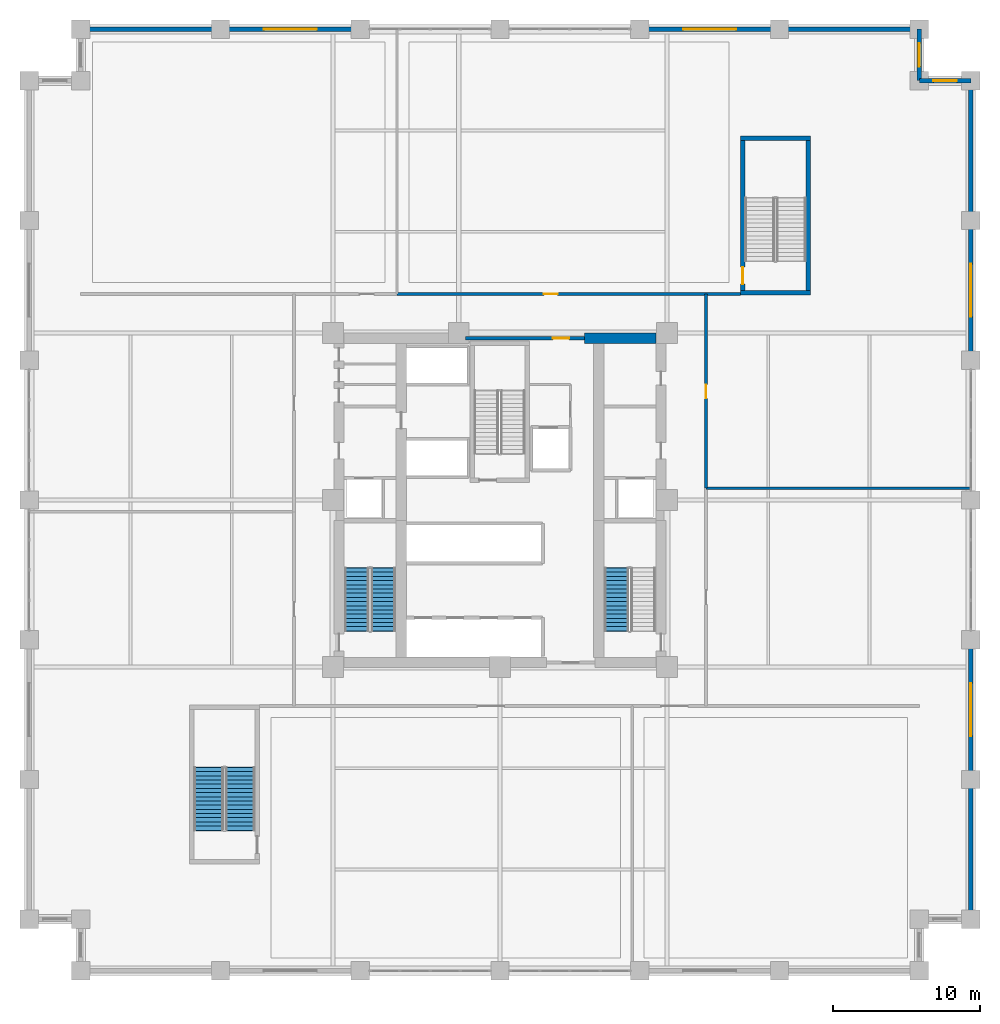
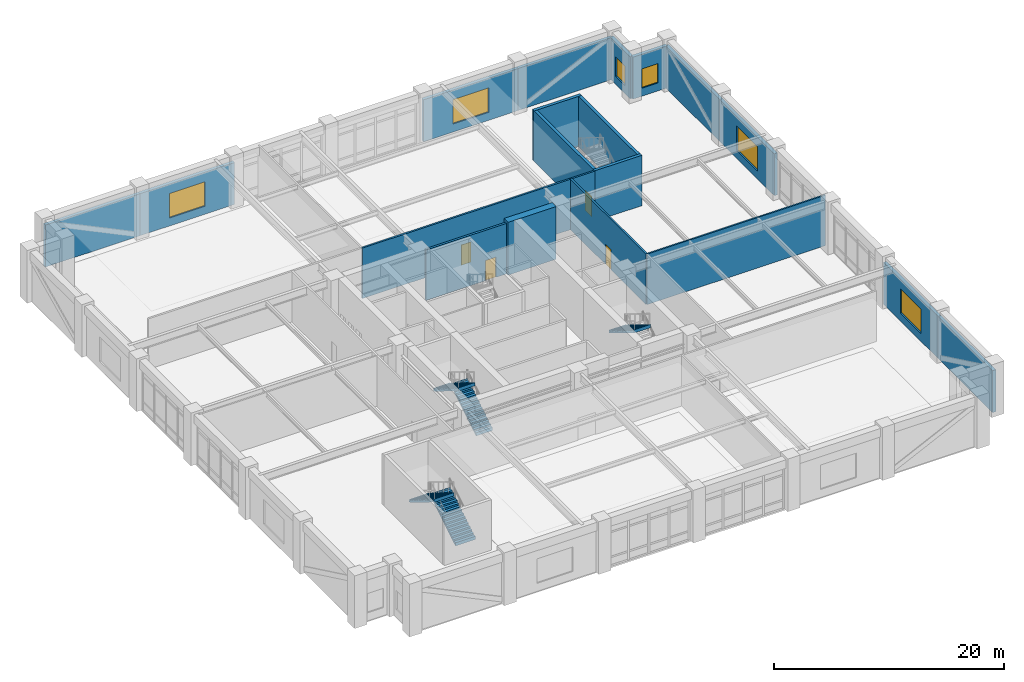
# One storey, part 14 of 21: 19 walls, 6 windows, 5 stair flights, 4 doors, 10 openings, 3 elements without a shape of their own.
"""IFC4 building model written with IfcOpenShell, lengths in metres."""

import ifcopenshell
import ifcopenshell.guid

model = None  # the IFC model being written
_history = None  # IfcOwnerHistory: only IFC2X3 demands one
_inside = {}  # id of a spatial element -> (the spatial element, [elements in it])
_under = {}  # id of a project, library or spatial element -> (it, [spatial elements below it])
_declared = {}  # id of a project -> (the project, [libraries it declares])
_typed = {}  # id of a type object -> (the type object, [elements of that type])
_made_of = {}  # id of a material, layer set ... -> (it, [elements and type objects made of it])


def new_model(schema):
    """Start an empty IFC model of exactly this schema.

    Asked for "IFC4X3", IfcOpenShell would pick the latest addendum, in which some entities
    have other attributes; the version numbers below select the first issue.
    IFC2X3 requires an IfcOwnerHistory on every rooted entity: one is made here for all.
    """
    global model, _history
    if schema == "IFC4X3":
        model = ifcopenshell.file(schema_version=(4, 3, 0, 0))
    else:
        model = ifcopenshell.file(schema=schema)
    _inside.clear()
    _under.clear()
    _declared.clear()
    _typed.clear()
    _made_of.clear()
    _history = None
    if model.schema == "IFC2X3":
        org = make("IfcOrganization", Name="unknown")
        user = make(
            "IfcPersonAndOrganization",
            ThePerson=make("IfcPerson", FamilyName="unknown"),
            TheOrganization=org,
        )
        app = make(
            "IfcApplication",
            ApplicationDeveloper=org,
            Version="unknown",
            ApplicationFullName="unknown",
            ApplicationIdentifier="unknown",
        )
        _history = make(
            "IfcOwnerHistory",
            OwningUser=user,
            OwningApplication=app,
            ChangeAction="ADDED",
            CreationDate=0,
        )
    return model


def make(cls, **values):
    """One entity of the class cls with the attributes given. An attribute that is None is left unset."""
    return model.create_entity(
        cls, **{name: value for name, value in values.items() if value is not None}
    )


def rooted(cls, **values):
    """An entity with a GlobalId (a new one), such as an element, a storey or a relation."""
    return make(cls, GlobalId=ifcopenshell.guid.new(), OwnerHistory=_history, **values)


def si_unit(unit_type, name, prefix=None):
    """IfcSIUnit, for example si_unit("LENGTHUNIT", "METRE", prefix="MILLI")."""
    return make("IfcSIUnit", UnitType=unit_type, Prefix=prefix, Name=name)


def assignment(units):
    """IfcUnitAssignment: the units of a project."""
    return None if units is None else make("IfcUnitAssignment", Units=units)


def point(xyz):
    """IfcCartesianPoint."""
    return None if xyz is None else make("IfcCartesianPoint", Coordinates=xyz)


def direction(xyz):
    """IfcDirection."""
    return None if xyz is None else make("IfcDirection", DirectionRatios=xyz)


def frame(location, z_axis=None, x_axis=None):
    """IfcAxis2Placement3D, a coordinate frame: its origin and axes. An axis left out is left unset."""
    return make(
        "IfcAxis2Placement3D",
        Location=point(location),
        Axis=direction(z_axis),
        RefDirection=direction(x_axis),
    )


def frame_2d(location, x_axis=None):
    """IfcAxis2Placement2D, a coordinate frame in the plane: its origin and x axis."""
    return make(
        "IfcAxis2Placement2D", Location=point(location), RefDirection=direction(x_axis)
    )


def origin():
    """The frame at (0, 0, 0) with its axes left unset."""
    return frame((0.0, 0.0, 0.0))


def place(relative_to, where):
    """IfcLocalPlacement: puts the frame where relative to a parent placement (None: the world)."""
    return make(
        "IfcLocalPlacement", PlacementRelTo=relative_to, RelativePlacement=where
    )


def context(
    kind, dimensions, precision=None, world=None, true_north=None, identifier=None
):
    """IfcGeometricRepresentationContext, for example the 3D "Model" context."""
    return make(
        "IfcGeometricRepresentationContext",
        ContextIdentifier=identifier,
        ContextType=kind,
        CoordinateSpaceDimension=dimensions,
        Precision=precision,
        WorldCoordinateSystem=world,
        TrueNorth=true_north,
    )


def subcontext(parent, identifier, kind, view, scale=None):
    """IfcGeometricRepresentationSubContext, for example "Body" below "Model"."""
    return make(
        "IfcGeometricRepresentationSubContext",
        ContextIdentifier=identifier,
        ContextType=kind,
        ParentContext=parent,
        TargetScale=scale,
        TargetView=view,
    )


def project(units=None, contexts=None):
    """IfcProject with its units and contexts."""
    return rooted(
        "IfcProject",
        Name="project",
        RepresentationContexts=contexts,
        UnitsInContext=assignment(units),
    )


def spatial(cls, under=None, at=None, **own):
    """A site, building, storey or space (cls), placed at a placement, below another one or the project."""
    s = rooted(cls, ObjectPlacement=at, **own)
    if under is not None:
        _under.setdefault(under.id(), (under, []))[1].append(s)
    return s


def polyline(points):
    """IfcPolyline through the points."""
    return make("IfcPolyline", Points=[point(p) for p in points])


def profile(cls, at=None, kind="AREA", **sizes):
    """A parametric profile (cls). Its sizes go by their IFC names, for example OverallWidth=200.0."""
    return make(cls, ProfileType=kind, Position=at, **sizes)


def rectangle(**sizes):
    """IfcRectangleProfileDef."""
    return profile("IfcRectangleProfileDef", **sizes)


def outline(outer, holes=None, kind="AREA"):
    """IfcArbitraryClosedProfileDef: a profile drawn as a closed curve; with holes, ...WithVoids."""
    if holes is None:
        return make("IfcArbitraryClosedProfileDef", ProfileType=kind, OuterCurve=outer)
    return make(
        "IfcArbitraryProfileDefWithVoids",
        ProfileType=kind,
        OuterCurve=outer,
        InnerCurves=holes,
    )


def extrude(swept, where, along, depth):
    """IfcExtrudedAreaSolid: the profile swept, set in the frame where, extruded along a direction by depth."""
    return make(
        "IfcExtrudedAreaSolid",
        SweptArea=swept,
        Position=where,
        ExtrudedDirection=direction(along),
        Depth=depth,
    )


def shape(context_of_items, identifier, shape_type, items):
    """IfcShapeRepresentation: the items that make up one representation, for example the "Body"."""
    return make(
        "IfcShapeRepresentation",
        ContextOfItems=context_of_items,
        RepresentationIdentifier=identifier,
        RepresentationType=shape_type,
        Items=items,
    )


def material(Name=None, Category=None):
    """IfcMaterial."""
    return make("IfcMaterial", Name=Name, Category=Category)


def layer(
    of_material, thickness, ventilated=None, Name=None, Category=None, Priority=None
):
    """IfcMaterialLayer: one layer of a wall or slab, of a material (None: an air gap)."""
    return make(
        "IfcMaterialLayer",
        Material=of_material,
        LayerThickness=thickness,
        IsVentilated=ventilated,
        Name=Name,
        Category=Category,
        Priority=Priority,
    )


def layer_set(layers, Name=None):
    """IfcMaterialLayerSet."""
    return make("IfcMaterialLayerSet", MaterialLayers=layers, LayerSetName=Name)


def made_of(thing, what):
    """Note that an element or type object is made of a material, layer set ...; save() writes the relation."""
    if what is not None:
        _made_of.setdefault(what.id(), (what, []))[1].append(thing)
    return thing


def type_object(cls, material=None, **own):
    """A type object (cls), such as IfcWallType, which elements share."""
    return made_of(rooted(cls, **own), material)


def element(
    cls,
    number,
    at=None,
    inside=None,
    cuts=None,
    type_object=None,
    material=None,
    context=None,
    identifier="Body",
    shape_type=None,
    held_by="IfcProductDefinitionShape",
    body=None,
    shapes=None,
    **own,
):
    """One element of the class cls, such as IfcWall. Its Tag is "e" and its number.

    at: its placement. inside: the storey or other place that contains it. cuts: it is an
    opening in that element (IfcRelVoidsElement). A single representation is given by context,
    identifier, shape_type and body (its items); several are given by shapes. held_by: the class
    of the entity that holds the representations. save() writes the other relations.
    """
    e = rooted(cls, Tag="e%d" % number, ObjectPlacement=at, **own)
    if body is not None:
        shapes = [shape(context, identifier, shape_type, body)]
    if shapes is not None:
        e.Representation = make(held_by, Representations=shapes)
    if inside is not None:
        _inside.setdefault(inside.id(), (inside, []))[1].append(e)
    if cuts is not None:
        rooted(
            "IfcRelVoidsElement", RelatingBuildingElement=cuts, RelatedOpeningElement=e
        )
    if type_object is not None:
        _typed.setdefault(type_object.id(), (type_object, []))[1].append(e)
    return made_of(e, material)


def fill(opening, filler):
    """IfcRelFillsElement: the door or window that sits in an opening."""
    return rooted(
        "IfcRelFillsElement",
        RelatingOpeningElement=opening,
        RelatedBuildingElement=filler,
    )


def aggregate(whole, parts):
    """IfcRelAggregates: a whole, such as a stair, and the parts it consists of."""
    return rooted("IfcRelAggregates", RelatingObject=whole, RelatedObjects=parts)


def save(model, path):
    """Write the relations noted so far, then the file.

    IfcRelAggregates (storeys below a building ...), IfcRelContainedInSpatialStructure (elements
    in a storey), IfcRelDefinesByType, IfcRelAssociatesMaterial and IfcRelDeclares: one each for
    every whole, place, type object, material and project.
    """
    for whole, parts in _under.values():
        aggregate(whole, parts)
    for where, things in _inside.values():
        rooted(
            "IfcRelContainedInSpatialStructure",
            RelatedElements=things,
            RelatingStructure=where,
        )
    for kind, things in _typed.values():
        rooted("IfcRelDefinesByType", RelatedObjects=things, RelatingType=kind)
    for what, things in _made_of.values():
        rooted("IfcRelAssociatesMaterial", RelatedObjects=things, RelatingMaterial=what)
    for by, libraries in _declared.values():
        rooted("IfcRelDeclares", RelatingContext=by, RelatedDefinitions=libraries)
    model.write(path)


model = new_model("IFC4")

# Units and contexts
model_context = context("Model", 3, precision=1e-05, world=origin(), true_north=direction((0.0, 1.0)))
body_context = subcontext(model_context, "Body", "Model", "MODEL_VIEW")
ifc_project = project(units=[si_unit("LENGTHUNIT", "METRE"), si_unit("AREAUNIT", "SQUARE_METRE"), si_unit("VOLUMEUNIT", "CUBIC_METRE"), si_unit("PLANEANGLEUNIT", "RADIAN"), si_unit("MASSUNIT", "GRAM", prefix="KILO")], contexts=[model_context])

# Site, building, storey
site_placement = place(None, origin())
site = spatial("IfcSite", under=ifc_project, at=site_placement, CompositionType="ELEMENT")
building_placement = place(site_placement, origin())
building = spatial("IfcBuilding", under=site, at=building_placement, Name="Nhamokura Convention Tower", CompositionType="ELEMENT")
storey_placement = place(building_placement, frame((0.0, 0.0, 12.25)))
storey = spatial("IfcBuildingStorey", under=building, at=storey_placement, Name="L02", CompositionType="ELEMENT", Elevation=12.25)

# Wall
ifc_material_1 = material(Name="Bronze-pigmented precast concrete C45/55", Category="concrete")
ifc_layer_1 = layer(ifc_material_1, 0.320068359375)
ifc_layer_set_1 = layer_set([ifc_layer_1], Name="BronzePrecastSpandrel_320")
wall_type_1 = type_object("IfcWallType", Name="BronzePrecastSpandrel_320", PredefinedType="USERDEFINED", material=ifc_layer_set_1)
wall_1_placement = place(storey_placement, frame((3.5, 64.0, 0.0), z_axis=(0.0, 0.0, 1.0), x_axis=(1.0, 0.0, 0.0)))
element("IfcWall", 1, at=wall_1_placement, inside=storey, type_object=wall_type_1, Name="L02 Braced-Bay Precast Wall NORTH 0", ObjectType="SPANDREL_WALL", PredefinedType="USERDEFINED", context=body_context, shape_type="SweptSolid", body=[
    extrude(rectangle(XDim=9.5, YDim=0.320068359375, at=frame_2d((4.75, 0.0))), origin(), (0.0, 0.0, 1.0), 4.4599609375),
])

# Wall, opening, window
wall_2_placement = place(storey_placement, frame((13.0, 64.0, 0.0), z_axis=(0.0, 0.0, 1.0), x_axis=(1.0, 0.0, 0.0)))
wall_2 = element("IfcWall", 2, at=wall_2_placement, inside=storey, type_object=wall_type_1, Name="L02 Masonry-Frame Wall NORTH 1", ObjectType="SPANDREL_WALL", PredefinedType="USERDEFINED", context=body_context, shape_type="SweptSolid", body=[
    extrude(rectangle(XDim=9.5, YDim=0.320068359375, at=frame_2d((4.75, 0.0))), origin(), (0.0, 0.0, 1.0), 4.4599609375),
])
opening_1_placement = place(wall_2_placement, frame((2.949951171875, 0.0, 0.85009765625)))
opening_1 = element("IfcOpeningElement", 3, at=opening_1_placement, cuts=wall_2, Name="Opening W-01", PredefinedType="OPENING", context=body_context, shape_type="SweptSolid", body=[
    extrude(rectangle(XDim=3.60009765625, YDim=2.60009765625, at=frame_2d((1.800048828125, 1.300048828125))), frame((0.0, 0.169921875, 0.0), z_axis=(0.0, -1.0, 0.0), x_axis=(1.0, 0.0, 0.0)), (0.0, 0.0, 1.0), 0.340087890625),
])
ifc_material_2 = material(Name="Solar-control bronze low-E double glass", Category="glass")
window_type_1 = type_object("IfcWindowType", Name="PodiumClerestoryWindow_3600", PartitioningType="TRIPLE_PANEL_VERTICAL", PredefinedType="WINDOW", material=ifc_material_2)
window_1_placement = place(opening_1_placement, origin())
window_1 = element("IfcWindow", 4, at=window_1_placement, inside=storey, type_object=window_type_1, Name="L02 Facade Window NORTH 1", OverallHeight=2.60009765625, OverallWidth=3.60009765625, PartitioningType="SINGLE_PANEL", PredefinedType="WINDOW", context=body_context, shape_type="SweptSolid", body=[
    extrude(rectangle(XDim=3.60009765625, YDim=2.60009765625, at=frame_2d((1.800048828125, 1.300048828125))), frame((0.0, 0.030029296875, 0.0), z_axis=(0.0, -1.0, 0.0), x_axis=(1.0, 0.0, 0.0)), (0.0, 0.0, 1.0), 0.06005859375),
])
fill(opening_1, window_1)

wall_3_placement = place(storey_placement, frame((41.5, 64.0, 0.0), z_axis=(0.0, 0.0, 1.0), x_axis=(1.0, 0.0, 0.0)))
wall_3 = element("IfcWall", 5, at=wall_3_placement, inside=storey, type_object=wall_type_1, Name="L02 Masonry-Frame Wall NORTH 4", ObjectType="SPANDREL_WALL", PredefinedType="USERDEFINED", context=body_context, shape_type="SweptSolid", body=[
    extrude(rectangle(XDim=9.5, YDim=0.320068359375, at=frame_2d((4.75, 0.0))), origin(), (0.0, 0.0, 1.0), 4.4599609375),
])
opening_2_placement = place(wall_3_placement, frame((2.949951171875, 0.0, 0.85009765625)))
opening_2 = element("IfcOpeningElement", 6, at=opening_2_placement, cuts=wall_3, Name="Opening W-01", PredefinedType="OPENING", context=body_context, shape_type="SweptSolid", body=[
    extrude(rectangle(XDim=3.60009765625, YDim=2.60009765625, at=frame_2d((1.800048828125, 1.300048828125))), frame((0.0, 0.169921875, 0.0), z_axis=(0.0, -1.0, 0.0), x_axis=(1.0, 0.0, 0.0)), (0.0, 0.0, 1.0), 0.340087890625),
])
window_2_placement = place(opening_2_placement, origin())
window_2 = element("IfcWindow", 7, at=window_2_placement, inside=storey, type_object=window_type_1, Name="L02 Facade Window NORTH 4", OverallHeight=2.60009765625, OverallWidth=3.60009765625, PartitioningType="SINGLE_PANEL", PredefinedType="WINDOW", context=body_context, shape_type="SweptSolid", body=[
    extrude(rectangle(XDim=3.60009765625, YDim=2.60009765625, at=frame_2d((1.800048828125, 1.300048828125))), frame((0.0, 0.030029296875, 0.0), z_axis=(0.0, -1.0, 0.0), x_axis=(1.0, 0.0, 0.0)), (0.0, 0.0, 1.0), 0.06005859375),
])
fill(opening_2, window_2)

# Walls
for number, where, z_axis, x_axis, name in (
    (8, (51.0, 64.0, 0.0), (0.0, 0.0, 1.0), (1.0, 0.0, 0.0), "L02 Braced-Bay Precast Wall NORTH 5"),
    (9, (64.0, 13.0, 0.0), (0.0, 0.0, 1.0), (0.0, -1.0, 0.0), "L02 Braced-Bay Precast Wall EAST 0"),
):
    element("IfcWall", number, at=place(storey_placement, frame(where, z_axis=z_axis, x_axis=x_axis)), inside=storey, type_object=wall_type_1, Name=name, ObjectType="SPANDREL_WALL", PredefinedType="USERDEFINED", context=body_context, shape_type="SweptSolid", body=[
        extrude(rectangle(XDim=9.5, YDim=0.320068359375, at=frame_2d((4.75, 0.0))), origin(), (0.0, 0.0, 1.0), 4.4599609375),
    ])

# Wall, opening, window
wall_4_placement = place(storey_placement, frame((64.0, 22.5, 0.0), z_axis=(0.0, 0.0, 1.0), x_axis=(0.0, -1.0, 0.0)))
wall_4 = element("IfcWall", 10, at=wall_4_placement, inside=storey, type_object=wall_type_1, Name="L02 Masonry-Frame Wall EAST 1", ObjectType="SPANDREL_WALL", PredefinedType="USERDEFINED", context=body_context, shape_type="SweptSolid", body=[
    extrude(rectangle(XDim=9.5, YDim=0.320068359375, at=frame_2d((4.75, 0.0))), origin(), (0.0, 0.0, 1.0), 4.4599609375),
])
opening_3_placement = place(wall_4_placement, frame((2.949951171875, 0.0, 0.85009765625)))
opening_3 = element("IfcOpeningElement", 11, at=opening_3_placement, cuts=wall_4, Name="Opening W-01", PredefinedType="OPENING", context=body_context, shape_type="SweptSolid", body=[
    extrude(rectangle(XDim=3.60009765625, YDim=2.60009765625, at=frame_2d((1.800048828125, 1.300048828125))), frame((0.0, 0.169921875, 0.0), z_axis=(0.0, -1.0, 0.0), x_axis=(1.0, 0.0, 0.0)), (0.0, 0.0, 1.0), 0.340087890625),
])
window_3_placement = place(opening_3_placement, origin())
window_3 = element("IfcWindow", 12, at=window_3_placement, inside=storey, type_object=window_type_1, Name="L02 Facade Window EAST 1", OverallHeight=2.60009765625, OverallWidth=3.60009765625, PartitioningType="SINGLE_PANEL", PredefinedType="WINDOW", context=body_context, shape_type="SweptSolid", body=[
    extrude(rectangle(XDim=3.60009765625, YDim=2.60009765625, at=frame_2d((1.800048828125, 1.300048828125))), frame((0.0, 0.030029296875, 0.0), z_axis=(0.0, -1.0, 0.0), x_axis=(1.0, 0.0, 0.0)), (0.0, 0.0, 1.0), 0.06005859375),
])
fill(opening_3, window_3)

wall_5_placement = place(storey_placement, frame((64.0, 51.0, 0.0), z_axis=(0.0, 0.0, 1.0), x_axis=(0.0, -1.0, 0.0)))
wall_5 = element("IfcWall", 13, at=wall_5_placement, inside=storey, type_object=wall_type_1, Name="L02 Masonry-Frame Wall EAST 4", ObjectType="SPANDREL_WALL", PredefinedType="USERDEFINED", context=body_context, shape_type="SweptSolid", body=[
    extrude(rectangle(XDim=9.5, YDim=0.320068359375, at=frame_2d((4.75, 0.0))), origin(), (0.0, 0.0, 1.0), 4.4599609375),
])
opening_4_placement = place(wall_5_placement, frame((2.949951171875, 0.0, 0.85009765625)))
opening_4 = element("IfcOpeningElement", 14, at=opening_4_placement, cuts=wall_5, Name="Opening W-01", PredefinedType="OPENING", context=body_context, shape_type="SweptSolid", body=[
    extrude(rectangle(XDim=3.60009765625, YDim=2.60009765625, at=frame_2d((1.800048828125, 1.300048828125))), frame((0.0, 0.169921875, 0.0), z_axis=(0.0, -1.0, 0.0), x_axis=(1.0, 0.0, 0.0)), (0.0, 0.0, 1.0), 0.340087890625),
])
window_4_placement = place(opening_4_placement, origin())
window_4 = element("IfcWindow", 15, at=window_4_placement, inside=storey, type_object=window_type_1, Name="L02 Facade Window EAST 4", OverallHeight=2.60009765625, OverallWidth=3.60009765625, PartitioningType="SINGLE_PANEL", PredefinedType="WINDOW", context=body_context, shape_type="SweptSolid", body=[
    extrude(rectangle(XDim=3.60009765625, YDim=2.60009765625, at=frame_2d((1.800048828125, 1.300048828125))), frame((0.0, 0.030029296875, 0.0), z_axis=(0.0, -1.0, 0.0), x_axis=(1.0, 0.0, 0.0)), (0.0, 0.0, 1.0), 0.06005859375),
])
fill(opening_4, window_4)

# Wall
wall_6_placement = place(storey_placement, frame((64.0, 60.5, 0.0), z_axis=(0.0, 0.0, 1.0), x_axis=(0.0, -1.0, 0.0)))
element("IfcWall", 16, at=wall_6_placement, inside=storey, type_object=wall_type_1, Name="L02 Braced-Bay Precast Wall EAST 5", ObjectType="SPANDREL_WALL", PredefinedType="USERDEFINED", context=body_context, shape_type="SweptSolid", body=[
    extrude(rectangle(XDim=9.5, YDim=0.320068359375, at=frame_2d((4.75, 0.0))), origin(), (0.0, 0.0, 1.0), 4.4599609375),
])

# Wall, opening, window
wall_7_placement = place(storey_placement, frame((60.5, 60.5, 0.0), z_axis=(0.0, 0.0, 1.0), x_axis=(1.0, 0.0, 0.0)))
wall_7 = element("IfcWall", 17, at=wall_7_placement, inside=storey, type_object=wall_type_1, Name="L02 Notched Corner Wall NE1", ObjectType="SPANDREL_WALL", PredefinedType="USERDEFINED", context=body_context, shape_type="SweptSolid", body=[
    extrude(rectangle(XDim=3.5, YDim=0.320068359375, at=frame_2d((1.75, 0.0))), origin(), (0.0, 0.0, 1.0), 4.4599609375),
])
opening_5_placement = place(wall_7_placement, frame((0.949951171875, 0.0, 0.85009765625)))
opening_5 = element("IfcOpeningElement", 18, at=opening_5_placement, cuts=wall_7, Name="Opening W-11", PredefinedType="OPENING", context=body_context, shape_type="SweptSolid", body=[
    extrude(rectangle(XDim=1.60009765625, YDim=2.050048828125, at=frame_2d((0.800048828125, 1.02490234375))), frame((0.0, 0.169921875, 0.0), z_axis=(0.0, -1.0, 0.0), x_axis=(1.0, 0.0, 0.0)), (0.0, 0.0, 1.0), 0.340087890625),
])
ifc_material_3 = material(Name="Solar-control bronze low-E double glass", Category="glass")
window_type_2 = type_object("IfcWindowType", Name="NotchCornerWindow_1600", PartitioningType="SINGLE_PANEL", PredefinedType="WINDOW", material=ifc_material_3)
window_5_placement = place(opening_5_placement, origin())
window_5 = element("IfcWindow", 19, at=window_5_placement, inside=storey, type_object=window_type_2, Name="L02 Notched Corner Window NE1", OverallHeight=2.050048828125, OverallWidth=1.60009765625, PartitioningType="SINGLE_PANEL", PredefinedType="WINDOW", context=body_context, shape_type="SweptSolid", body=[
    extrude(rectangle(XDim=1.60009765625, YDim=2.050048828125, at=frame_2d((0.800048828125, 1.02490234375))), frame((0.0, 0.030029296875, 0.0), z_axis=(0.0, -1.0, 0.0), x_axis=(1.0, 0.0, 0.0)), (0.0, 0.0, 1.0), 0.06005859375),
])
fill(opening_5, window_5)

wall_8_placement = place(storey_placement, frame((60.5, 64.0, 0.0), z_axis=(0.0, 0.0, 1.0), x_axis=(0.0, -1.0, 0.0)))
wall_8 = element("IfcWall", 20, at=wall_8_placement, inside=storey, type_object=wall_type_1, Name="L02 Notched Corner Wall NE2", ObjectType="SPANDREL_WALL", PredefinedType="USERDEFINED", context=body_context, shape_type="SweptSolid", body=[
    extrude(rectangle(XDim=3.5, YDim=0.320068359375, at=frame_2d((1.75, 0.0))), origin(), (0.0, 0.0, 1.0), 4.4599609375),
])
opening_6_placement = place(wall_8_placement, frame((0.949951171875, 0.0, 0.85009765625)))
opening_6 = element("IfcOpeningElement", 21, at=opening_6_placement, cuts=wall_8, Name="Opening W-11", PredefinedType="OPENING", context=body_context, shape_type="SweptSolid", body=[
    extrude(rectangle(XDim=1.60009765625, YDim=2.050048828125, at=frame_2d((0.800048828125, 1.02490234375))), frame((0.0, 0.169921875, 0.0), z_axis=(0.0, -1.0, 0.0), x_axis=(1.0, 0.0, 0.0)), (0.0, 0.0, 1.0), 0.340087890625),
])
window_6_placement = place(opening_6_placement, origin())
window_6 = element("IfcWindow", 22, at=window_6_placement, inside=storey, type_object=window_type_2, Name="L02 Notched Corner Window NE2", OverallHeight=2.050048828125, OverallWidth=1.60009765625, PartitioningType="SINGLE_PANEL", PredefinedType="WINDOW", context=body_context, shape_type="SweptSolid", body=[
    extrude(rectangle(XDim=1.60009765625, YDim=2.050048828125, at=frame_2d((0.800048828125, 1.02490234375))), frame((0.0, 0.030029296875, 0.0), z_axis=(0.0, -1.0, 0.0), x_axis=(1.0, 0.0, 0.0)), (0.0, 0.0, 1.0), 0.06005859375),
])
fill(opening_6, window_6)

# Wall
ifc_material_4 = material(Name="Concrete C70/85", Category="concrete")
ifc_layer_2 = layer(ifc_material_4, 0.699951171875)
ifc_layer_set_2 = layer_set([ifc_layer_2], Name="CoreShearWall_700")
wall_type_2 = type_object("IfcWallType", Name="CoreShearWall_700", PredefinedType="SHEAR", material=ifc_layer_set_2)
wall_9_placement = place(storey_placement, frame((37.75, 43.0, 0.0), z_axis=(0.0, 0.0, 1.0), x_axis=(1.0, 0.0, 0.0)))
element("IfcWall", 23, at=wall_9_placement, inside=storey, type_object=wall_type_2, Name="L02 Core Shear Wall CW-N2", PredefinedType="SHEAR", context=body_context, shape_type="SweptSolid", body=[
    extrude(rectangle(XDim=4.840087890625, YDim=0.699951171875, at=frame_2d((2.419921875, 0.0))), origin(), (0.0, 0.0, 1.0), 5.60009765625),
])

# Wall, opening, door
ifc_material_5 = material(Name="Fire-rated gypsum and masonry partition", Category="masonry")
ifc_layer_3 = layer(ifc_material_5, 0.179931640625)
ifc_layer_set_3 = layer_set([ifc_layer_3], Name="CorridorRatedWall_180")
wall_type_3 = type_object("IfcWallType", Name="CorridorRatedWall_180", PredefinedType="STANDARD", material=ifc_layer_set_3)
wall_10_placement = place(storey_placement, frame((25.0, 46.0, 0.0), z_axis=(0.0, 0.0, 1.0), x_axis=(1.0, 0.0, 0.0)))
wall_10 = element("IfcWall", 24, at=wall_10_placement, inside=storey, type_object=wall_type_3, Name="L02 Wall INT-L02-CW-N01", PredefinedType="STANDARD", context=body_context, shape_type="SweptSolid", body=[
    extrude(rectangle(XDim=23.35009765625, YDim=0.179931640625, at=frame_2d((11.675048828125, 0.0))), origin(), (0.0, 0.0, 1.0), 5.360107421875),
])
opening_7_placement = place(wall_10_placement, frame((9.97509765625, 0.0, 0.0)))
opening_7 = element("IfcOpeningElement", 25, at=opening_7_placement, cuts=wall_10, Name="Opening D-09", PredefinedType="OPENING", context=body_context, shape_type="SweptSolid", body=[
    extrude(rectangle(XDim=0.949951171875, YDim=2.14990234375, at=frame_2d((0.47509765625, 1.074951171875))), frame((0.0, 0.099853515625, 0.0), z_axis=(0.0, -1.0, 0.0), x_axis=(1.0, 0.0, 0.0)), (0.0, 0.0, 1.0), 0.199951171875),
])
ifc_material_6 = material(Name="Solid oak hardwood", Category="wood")
door_type_1 = type_object("IfcDoorType", Name="MeetingRoomDoor_950", OperationType="NOTDEFINED", PredefinedType="DOOR", material=ifc_material_6)
door_1_placement = place(opening_7_placement, origin())
door_1 = element("IfcDoor", 26, at=door_1_placement, inside=storey, type_object=door_type_1, Name="L02 Delegate Lounge N02 Door", OperationType="SINGLE_SWING_RIGHT", OverallHeight=2.14990234375, OverallWidth=0.949951171875, PredefinedType="DOOR", context=body_context, shape_type="SweptSolid", body=[
    extrude(rectangle(XDim=0.949951171875, YDim=2.14990234375, at=frame_2d((0.47509765625, 1.074951171875))), frame((0.0, 0.02490234375, 0.0), z_axis=(0.0, -1.0, 0.0), x_axis=(1.0, 0.0, 0.0)), (0.0, 0.0, 1.0), 0.050048828125),
])
fill(opening_7, door_1)

wall_11_placement = place(storey_placement, frame((46.0, 32.800048828125, 0.0), z_axis=(0.0, 0.0, 1.0), x_axis=(0.0, 1.0, 0.0)))
wall_11 = element("IfcWall", 27, at=wall_11_placement, inside=storey, type_object=wall_type_3, Name="L02 Wall INT-L02-CW-E01", PredefinedType="STANDARD", context=body_context, shape_type="SweptSolid", body=[
    extrude(rectangle(XDim=13.199951171875, YDim=0.179931640625, at=frame_2d((6.60009765625, 0.0))), origin(), (0.0, 0.0, 1.0), 5.360107421875),
])
opening_8_placement = place(wall_11_placement, frame((6.10009765625, 0.0, 0.0)))
opening_8 = element("IfcOpeningElement", 28, at=opening_8_placement, cuts=wall_11, Name="Opening D-09", PredefinedType="OPENING", context=body_context, shape_type="SweptSolid", body=[
    extrude(rectangle(XDim=0.949951171875, YDim=2.14990234375, at=frame_2d((0.47509765625, 1.074951171875))), frame((0.0, 0.099853515625, 0.0), z_axis=(0.0, -1.0, 0.0), x_axis=(1.0, 0.0, 0.0)), (0.0, 0.0, 1.0), 0.199951171875),
])
door_2_placement = place(opening_8_placement, origin())
door_2 = element("IfcDoor", 29, at=door_2_placement, inside=storey, type_object=door_type_1, Name="L02 Private Office E02 Door", OperationType="SINGLE_SWING_RIGHT", OverallHeight=2.14990234375, OverallWidth=0.949951171875, PredefinedType="DOOR", context=body_context, shape_type="SweptSolid", body=[
    extrude(rectangle(XDim=0.949951171875, YDim=2.14990234375, at=frame_2d((0.47509765625, 1.074951171875))), frame((0.0, 0.02490234375, 0.0), z_axis=(0.0, -1.0, 0.0), x_axis=(1.0, 0.0, 0.0)), (0.0, 0.0, 1.0), 0.050048828125),
])
fill(opening_8, door_2)

ifc_material_7 = material(Name="Autoclaved concrete blockwork", Category="masonry")
ifc_layer_4 = layer(ifc_material_7, 0.219970703125)
ifc_layer_set_4 = layer_set([ifc_layer_4], Name="FireLobbyWall_220")
wall_type_4 = type_object("IfcWallType", Name="FireLobbyWall_220", PredefinedType="STANDARD", material=ifc_layer_set_4)
wall_12_placement = place(storey_placement, frame((29.64990234375, 43.0, 0.0), z_axis=(0.0, 0.0, 1.0), x_axis=(1.0, 0.0, 0.0)))
wall_12 = element("IfcWall", 30, at=wall_12_placement, inside=storey, type_object=wall_type_4, Name="L02 Wall INT-L02-CPORT-N", PredefinedType="STANDARD", context=body_context, shape_type="SweptSolid", body=[
    extrude(rectangle(XDim=8.10009765625, YDim=0.219970703125, at=frame_2d((4.050048828125, 0.0))), origin(), (0.0, 0.0, 1.0), 5.360107421875),
])
opening_9_placement = place(wall_12_placement, frame((5.949951171875, 0.0, 0.0)))
opening_9 = element("IfcOpeningElement", 31, at=opening_9_placement, cuts=wall_12, Name="Opening D-05", PredefinedType="OPENING", context=body_context, shape_type="SweptSolid", body=[
    extrude(rectangle(XDim=1.10009765625, YDim=2.14990234375, at=frame_2d((0.550048828125, 1.074951171875))), frame((0.0, 0.119873046875, 0.0), z_axis=(0.0, -1.0, 0.0), x_axis=(1.0, 0.0, 0.0)), (0.0, 0.0, 1.0), 0.239990234375),
])
ifc_material_8 = material(Name="Fire-rated steel door", Category="steel")
door_type_2 = type_object("IfcDoorType", Name="FireLobbyDoor_1100", OperationType="NOTDEFINED", PredefinedType="DOOR", material=ifc_material_8)
door_3_placement = place(opening_9_placement, origin())
door_3 = element("IfcDoor", 32, at=door_3_placement, inside=storey, type_object=door_type_2, Name="L02 North Core Lobby Portal Door", OperationType="SINGLE_SWING_RIGHT", OverallHeight=2.14990234375, OverallWidth=1.10009765625, PredefinedType="DOOR", context=body_context, shape_type="SweptSolid", body=[
    extrude(rectangle(XDim=1.10009765625, YDim=2.14990234375, at=frame_2d((0.550048828125, 1.074951171875))), frame((0.0, 0.02490234375, 0.0), z_axis=(0.0, -1.0, 0.0), x_axis=(1.0, 0.0, 0.0)), (0.0, 0.0, 1.0), 0.050048828125),
])
fill(opening_9, door_3)

# Wall
ifc_material_9 = material(Name="Acoustic gypsum stud partition", Category="masonry")
ifc_layer_5 = layer(ifc_material_9, 0.14990234375)
ifc_layer_set_5 = layer_set([ifc_layer_5], Name="InteriorPartition_150")
wall_type_5 = type_object("IfcWallType", Name="InteriorPartition_150", PredefinedType="STANDARD", material=ifc_layer_set_5)
wall_13_placement = place(storey_placement, frame((46.0, 32.800048828125, 0.0), z_axis=(0.0, 0.0, 1.0), x_axis=(1.0, 0.0, 0.0)))
element("IfcWall", 33, at=wall_13_placement, inside=storey, type_object=wall_type_5, Name="L02 Wall INT-L02-RW-E01", PredefinedType="STANDARD", context=body_context, shape_type="SweptSolid", body=[
    extrude(rectangle(XDim=17.93994140625, YDim=0.14990234375, at=frame_2d((8.969970703125, 0.0))), origin(), (0.0, 0.0, 1.0), 5.360107421875),
])

# Wall, opening, door
ifc_material_10 = material(Name="Concrete C50/60", Category="concrete")
ifc_layer_6 = layer(ifc_material_10, 0.300048828125)
ifc_layer_set_6 = layer_set([ifc_layer_6], Name="ShaftEnclosureWall_300")
wall_type_6 = type_object("IfcWallType", Name="ShaftEnclosureWall_300", PredefinedType="SHEAR", material=ifc_layer_set_6)
wall_14_placement = place(storey_placement, frame((48.5, 46.10009765625, 0.0), z_axis=(0.0, 0.0, 1.0), x_axis=(0.0, 1.0, 0.0)))
wall_14 = element("IfcWall", 34, at=wall_14_placement, inside=storey, type_object=wall_type_6, Name="L02 Wall INT-L02-ST05-W", PredefinedType="SHEAR", context=body_context, shape_type="SweptSolid", body=[
    extrude(rectangle(XDim=10.5, YDim=0.300048828125, at=frame_2d((5.25, 0.0))), origin(), (0.0, 0.0, 1.0), 5.360107421875),
])
opening_10_placement = place(wall_14_placement, frame((0.580078125, 0.0, 0.0)))
opening_10 = element("IfcOpeningElement", 35, at=opening_10_placement, cuts=wall_14, Name="Opening D-04", PredefinedType="OPENING", context=body_context, shape_type="SweptSolid", body=[
    extrude(rectangle(XDim=1.14990234375, YDim=2.14990234375, at=frame_2d((0.574951171875, 1.074951171875))), frame((0.0, 0.159912109375, 0.0), z_axis=(0.0, -1.0, 0.0), x_axis=(1.0, 0.0, 0.0)), (0.0, 0.0, 1.0), 0.320068359375),
])
ifc_material_11 = material(Name="Fire-rated steel door", Category="steel")
door_type_3 = type_object("IfcDoorType", Name="StairSmokeDoor_1150", OperationType="NOTDEFINED", PredefinedType="DOOR", material=ifc_material_11)
door_4_placement = place(opening_10_placement, origin())
door_4 = element("IfcDoor", 36, at=door_4_placement, inside=storey, type_object=door_type_3, Name="L02 Stair ST-05 Smoke Door", OperationType="SINGLE_SWING_LEFT", OverallHeight=2.14990234375, OverallWidth=1.14990234375, PredefinedType="DOOR", context=body_context, shape_type="SweptSolid", body=[
    extrude(rectangle(XDim=1.14990234375, YDim=2.14990234375, at=frame_2d((0.574951171875, 1.074951171875))), frame((0.0, 0.02490234375, 0.0), z_axis=(0.0, -1.0, 0.0), x_axis=(1.0, 0.0, 0.0)), (0.0, 0.0, 1.0), 0.050048828125),
])
fill(opening_10, door_4)

# Walls
wall_15_placement = place(storey_placement, frame((52.949951171875, 46.10009765625, 0.0), z_axis=(0.0, 0.0, 1.0), x_axis=(0.0, 1.0, 0.0)))
element("IfcWall", 37, at=wall_15_placement, inside=storey, type_object=wall_type_6, Name="L02 Wall INT-L02-ST05-E", PredefinedType="SHEAR", context=body_context, shape_type="SweptSolid", body=[
    extrude(rectangle(XDim=10.5, YDim=0.300048828125, at=frame_2d((5.25, 0.0))), origin(), (0.0, 0.0, 1.0), 5.360107421875),
])
for number, where, z_axis, x_axis, name in (
    (38, (48.35009765625, 46.10009765625, 0.0), (0.0, 0.0, 1.0), (1.0, 0.0, 0.0), "L02 Wall INT-L02-ST05-S"),
    (39, (48.35009765625, 56.60009765625, 0.0), (0.0, 0.0, 1.0), (1.0, 0.0, 0.0), "L02 Wall INT-L02-ST05-N"),
):
    element("IfcWall", number, at=place(storey_placement, frame(where, z_axis=z_axis, x_axis=x_axis)), inside=storey, type_object=wall_type_6, Name=name, PredefinedType="SHEAR", context=body_context, shape_type="SweptSolid", body=[
        extrude(rectangle(XDim=4.75, YDim=0.300048828125, at=frame_2d((2.375, 0.0))), origin(), (0.0, 0.0, 1.0), 5.360107421875),
    ])

# Stair, stair flights
ifc_material_12 = material(Name="Concrete C40/50", Category="concrete")
stair_type_1 = type_object("IfcStairType", Name="PodiumExitStair_2000", PredefinedType="HALF_TURN_STAIR", material=ifc_material_12)
stair_1_placement = place(storey_placement, origin())
stair_1 = element("IfcStair", 40, at=stair_1_placement, inside=storey, type_object=stair_type_1, Name="L02 South-West Podium Smokeproof Stair ST-04", PredefinedType="HALF_TURN_STAIR")
ifc_material_13 = material(Name="Concrete C40/50", Category="concrete")
stair_flight_type_1 = type_object("IfcStairFlightType", Name="PodiumExitStair_2000_Flight", PredefinedType="STRAIGHT", material=ifc_material_13)
stair_flight_1_placement = place(storey_placement, frame((14.35009765625, 9.550048828125, 0.0), z_axis=(0.0, 0.0, 1.0), x_axis=(0.0, 1.0, 0.0)))
stair_flight_1 = element("IfcStairFlight", 41, at=stair_flight_1_placement, type_object=stair_flight_type_1, Name="ST-04 flight 1", NumberOfRisers=16, NumberOfTreads=15, PredefinedType="STRAIGHT", RiserHeight=0.175, TreadLength=0.285, context=body_context, shape_type="SweptSolid", body=[
    extrude(outline(polyline([(-0.0419921875, 0.0), (0.0, 0.175048828125), (0.284912109375, 0.175048828125), (0.284912109375, 0.35009765625), (0.570068359375, 0.35009765625), (0.570068359375, 0.52490234375), (0.85498046875, 0.52490234375), (0.85498046875, 0.699951171875), (1.139892578125, 0.699951171875), (1.139892578125, 0.875), (1.425048828125, 0.875), (1.425048828125, 1.050048828125), (1.7099609375, 1.050048828125), (1.7099609375, 1.22509765625), (1.9951171875, 1.22509765625), (1.9951171875, 1.39990234375), (2.280029296875, 1.39990234375), (2.280029296875, 1.574951171875), (2.56494140625, 1.574951171875), (2.56494140625, 1.75), (2.85009765625, 1.75), (2.85009765625, 1.925048828125), (3.135009765625, 1.925048828125), (3.135009765625, 2.10009765625), (3.419921875, 2.10009765625), (3.419921875, 2.27490234375), (3.705078125, 2.27490234375), (3.705078125, 2.449951171875), (3.989990234375, 2.449951171875), (3.989990234375, 2.625), (4.27490234375, 2.625), (4.27490234375, 2.800048828125), (4.31689453125, 2.800048828125), (4.31689453125, 2.448974609375), (4.27490234375, 2.448974609375), (0.286376953125, 0.0), (0.02001953125, -0.1298828125), (-0.0419921875, -0.1298828125), (-0.0419921875, 0.0)])), frame((0.0, 1.0, 0.0), z_axis=(0.0, -1.0, 0.0), x_axis=(1.0, 0.0, 0.0)), (0.0, 0.0, 1.0), 2.0),
])
stair_flight_2_placement = place(storey_placement, frame((12.199951171875, 13.824951171875, 2.800048828125), z_axis=(0.0, 0.0, 1.0), x_axis=(0.0, -1.0, 0.0)))
stair_flight_2 = element("IfcStairFlight", 42, at=stair_flight_2_placement, type_object=stair_flight_type_1, Name="ST-04 flight 2", NumberOfRisers=16, NumberOfTreads=15, PredefinedType="STRAIGHT", RiserHeight=0.175, TreadLength=0.285, context=body_context, shape_type="SweptSolid", body=[
    extrude(outline(polyline([(-0.0419921875, 0.0), (0.0, 0.175048828125), (0.284912109375, 0.175048828125), (0.284912109375, 0.35009765625), (0.570068359375, 0.35009765625), (0.570068359375, 0.52490234375), (0.85498046875, 0.52490234375), (0.85498046875, 0.699951171875), (1.139892578125, 0.699951171875), (1.139892578125, 0.875), (1.425048828125, 0.875), (1.425048828125, 1.050048828125), (1.7099609375, 1.050048828125), (1.7099609375, 1.22509765625), (1.9951171875, 1.22509765625), (1.9951171875, 1.39990234375), (2.280029296875, 1.39990234375), (2.280029296875, 1.574951171875), (2.56494140625, 1.574951171875), (2.56494140625, 1.75), (2.85009765625, 1.75), (2.85009765625, 1.925048828125), (3.135009765625, 1.925048828125), (3.135009765625, 2.10009765625), (3.419921875, 2.10009765625), (3.419921875, 2.27490234375), (3.705078125, 2.27490234375), (3.705078125, 2.449951171875), (3.989990234375, 2.449951171875), (3.989990234375, 2.625), (4.27490234375, 2.625), (4.27490234375, 2.800048828125), (4.31689453125, 2.800048828125), (4.31689453125, 2.448974609375), (4.27490234375, 2.448974609375), (0.286376953125, 0.0), (0.02001953125, -0.1298828125), (-0.0419921875, -0.1298828125), (-0.0419921875, 0.0)])), frame((0.0, 1.0, 0.0), z_axis=(0.0, -1.0, 0.0), x_axis=(1.0, 0.0, 0.0)), (0.0, 0.0, 1.0), 2.0),
])
aggregate(stair_1, [stair_flight_1, stair_flight_2])

ifc_material_14 = material(Name="Concrete C40/50", Category="concrete")
stair_type_2 = type_object("IfcStairType", Name="TowerCoreStair_1650", PredefinedType="HALF_TURN_STAIR", material=ifc_material_14)
stair_2_placement = place(storey_placement, origin())
stair_2 = element("IfcStair", 43, at=stair_2_placement, inside=storey, type_object=stair_type_2, Name="L02 West Core Smokeproof Stair ST-01", PredefinedType="HALF_TURN_STAIR")
ifc_material_15 = material(Name="Concrete C40/50", Category="concrete")
stair_flight_type_2 = type_object("IfcStairFlightType", Name="TowerCoreStair_1650_Flight", PredefinedType="STRAIGHT", material=ifc_material_15)
stair_flight_3_placement = place(storey_placement, frame((24.074951171875, 23.10009765625, 0.0), z_axis=(0.0, 0.0, 1.0), x_axis=(0.0, 1.0, 0.0)))
stair_flight_3 = element("IfcStairFlight", 44, at=stair_flight_3_placement, type_object=stair_flight_type_2, Name="ST-01 flight 1", NumberOfRisers=16, NumberOfTreads=15, PredefinedType="STRAIGHT", RiserHeight=0.175, TreadLength=0.285, context=body_context, shape_type="SweptSolid", body=[
    extrude(outline(polyline([(-0.0419921875, 0.0), (0.0, 0.175048828125), (0.284912109375, 0.175048828125), (0.284912109375, 0.35009765625), (0.570068359375, 0.35009765625), (0.570068359375, 0.52490234375), (0.85498046875, 0.52490234375), (0.85498046875, 0.699951171875), (1.139892578125, 0.699951171875), (1.139892578125, 0.875), (1.425048828125, 0.875), (1.425048828125, 1.050048828125), (1.7099609375, 1.050048828125), (1.7099609375, 1.22509765625), (1.9951171875, 1.22509765625), (1.9951171875, 1.39990234375), (2.280029296875, 1.39990234375), (2.280029296875, 1.574951171875), (2.56494140625, 1.574951171875), (2.56494140625, 1.75), (2.85009765625, 1.75), (2.85009765625, 1.925048828125), (3.135009765625, 1.925048828125), (3.135009765625, 2.10009765625), (3.419921875, 2.10009765625), (3.419921875, 2.27490234375), (3.705078125, 2.27490234375), (3.705078125, 2.449951171875), (3.989990234375, 2.449951171875), (3.989990234375, 2.625), (4.27490234375, 2.625), (4.27490234375, 2.800048828125), (4.31689453125, 2.800048828125), (4.31689453125, 2.448974609375), (4.27490234375, 2.448974609375), (0.286376953125, 0.0), (0.02001953125, -0.1298828125), (-0.0419921875, -0.1298828125), (-0.0419921875, 0.0)])), frame((0.0, 0.824951171875, 0.0), z_axis=(0.0, -1.0, 0.0), x_axis=(1.0, 0.0, 0.0)), (0.0, 0.0, 1.0), 1.64990234375),
])
stair_flight_4_placement = place(storey_placement, frame((22.27490234375, 27.375, 2.800048828125), z_axis=(0.0, 0.0, 1.0), x_axis=(0.0, -1.0, 0.0)))
stair_flight_4 = element("IfcStairFlight", 45, at=stair_flight_4_placement, type_object=stair_flight_type_2, Name="ST-01 flight 2", NumberOfRisers=16, NumberOfTreads=15, PredefinedType="STRAIGHT", RiserHeight=0.175, TreadLength=0.285, context=body_context, shape_type="SweptSolid", body=[
    extrude(outline(polyline([(-0.0419921875, 0.0), (0.0, 0.175048828125), (0.284912109375, 0.175048828125), (0.284912109375, 0.35009765625), (0.570068359375, 0.35009765625), (0.570068359375, 0.52490234375), (0.85498046875, 0.52490234375), (0.85498046875, 0.699951171875), (1.139892578125, 0.699951171875), (1.139892578125, 0.875), (1.425048828125, 0.875), (1.425048828125, 1.050048828125), (1.7099609375, 1.050048828125), (1.7099609375, 1.22509765625), (1.9951171875, 1.22509765625), (1.9951171875, 1.39990234375), (2.280029296875, 1.39990234375), (2.280029296875, 1.574951171875), (2.56494140625, 1.574951171875), (2.56494140625, 1.75), (2.85009765625, 1.75), (2.85009765625, 1.925048828125), (3.135009765625, 1.925048828125), (3.135009765625, 2.10009765625), (3.419921875, 2.10009765625), (3.419921875, 2.27490234375), (3.705078125, 2.27490234375), (3.705078125, 2.449951171875), (3.989990234375, 2.449951171875), (3.989990234375, 2.625), (4.27490234375, 2.625), (4.27490234375, 2.800048828125), (4.31689453125, 2.800048828125), (4.31689453125, 2.448974609375), (4.27490234375, 2.448974609375), (0.286376953125, 0.0), (0.02001953125, -0.1298828125), (-0.0419921875, -0.1298828125), (-0.0419921875, 0.0)])), frame((0.0, 0.824951171875, 0.0), z_axis=(0.0, -1.0, 0.0), x_axis=(1.0, 0.0, 0.0)), (0.0, 0.0, 1.0), 1.64990234375),
])
aggregate(stair_2, [stair_flight_3, stair_flight_4])

# Stair, stair flight
stair_3_placement = place(storey_placement, origin())
stair_3 = element("IfcStair", 46, at=stair_3_placement, inside=storey, type_object=stair_type_2, Name="L02 East Core Smokeproof Stair ST-02", PredefinedType="HALF_TURN_STAIR")
stair_flight_5_placement = place(storey_placement, frame((39.925048828125, 27.375, 2.800048828125), z_axis=(0.0, 0.0, 1.0), x_axis=(0.0, -1.0, 0.0)))
stair_flight_5 = element("IfcStairFlight", 47, at=stair_flight_5_placement, type_object=stair_flight_type_2, Name="ST-02 flight 2", NumberOfRisers=16, NumberOfTreads=15, PredefinedType="STRAIGHT", RiserHeight=0.175, TreadLength=0.285, context=body_context, shape_type="SweptSolid", body=[
    extrude(outline(polyline([(-0.0419921875, 0.0), (0.0, 0.175048828125), (0.284912109375, 0.175048828125), (0.284912109375, 0.35009765625), (0.570068359375, 0.35009765625), (0.570068359375, 0.52490234375), (0.85498046875, 0.52490234375), (0.85498046875, 0.699951171875), (1.139892578125, 0.699951171875), (1.139892578125, 0.875), (1.425048828125, 0.875), (1.425048828125, 1.050048828125), (1.7099609375, 1.050048828125), (1.7099609375, 1.22509765625), (1.9951171875, 1.22509765625), (1.9951171875, 1.39990234375), (2.280029296875, 1.39990234375), (2.280029296875, 1.574951171875), (2.56494140625, 1.574951171875), (2.56494140625, 1.75), (2.85009765625, 1.75), (2.85009765625, 1.925048828125), (3.135009765625, 1.925048828125), (3.135009765625, 2.10009765625), (3.419921875, 2.10009765625), (3.419921875, 2.27490234375), (3.705078125, 2.27490234375), (3.705078125, 2.449951171875), (3.989990234375, 2.449951171875), (3.989990234375, 2.625), (4.27490234375, 2.625), (4.27490234375, 2.800048828125), (4.31689453125, 2.800048828125), (4.31689453125, 2.448974609375), (4.27490234375, 2.448974609375), (0.286376953125, 0.0), (0.02001953125, -0.1298828125), (-0.0419921875, -0.1298828125), (-0.0419921875, 0.0)])), frame((0.0, 0.824951171875, 0.0), z_axis=(0.0, -1.0, 0.0), x_axis=(1.0, 0.0, 0.0)), (0.0, 0.0, 1.0), 1.64990234375),
])
aggregate(stair_3, [stair_flight_5])

save(model, "model.ifc")
